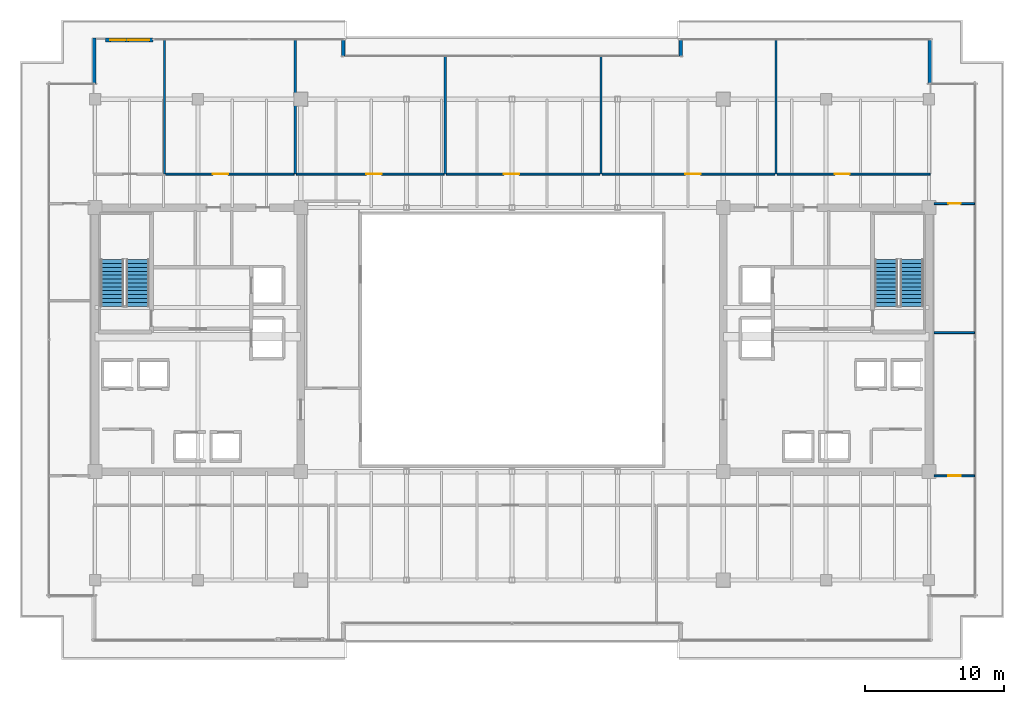
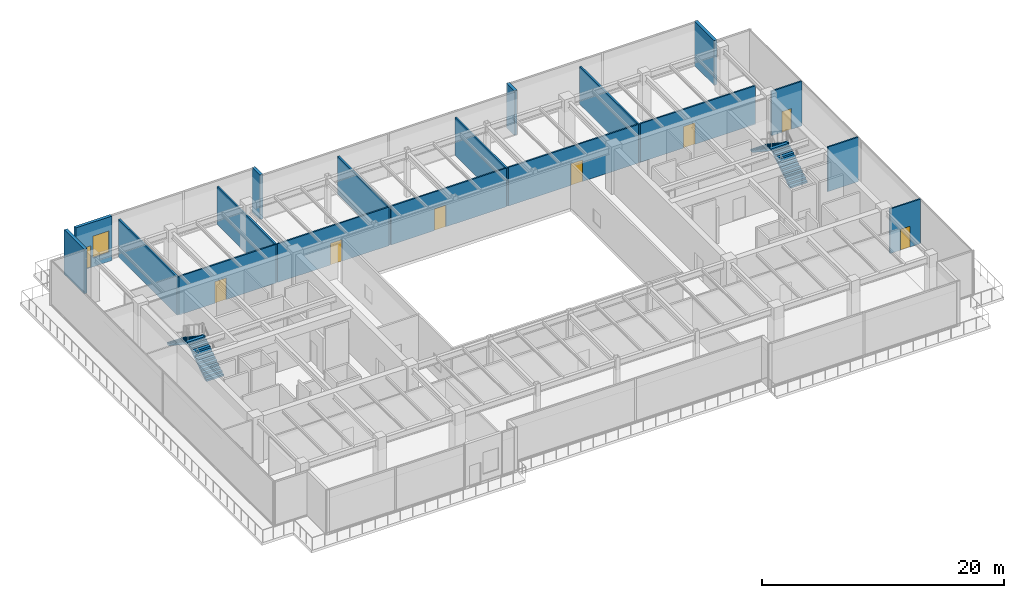
# One storey, part 31 of 37: 18 walls, 8 doors, 4 stair flights, 1 window, 9 openings, 2 elements without a shape of their own.
"""IFC4 building model written with IfcOpenShell, lengths in metres."""

from ifc_helpers import new_model, si_unit, direction, frame, frame_2d, origin, place, context, subcontext, project, spatial, polyline, rectangle, outline, extrude, source, transform, mapped, material, layer, layer_set, type_object, type_shapes, element, fill, aggregate, save


model = new_model("IFC4")

# Units and contexts
model_context = context("Model", 3, precision=1e-05, world=origin(), true_north=direction((0.0, 1.0)))
body_context = subcontext(model_context, "Body", "Model", "MODEL_VIEW")
ifc_project = project(units=[si_unit("LENGTHUNIT", "METRE"), si_unit("AREAUNIT", "SQUARE_METRE"), si_unit("VOLUMEUNIT", "CUBIC_METRE"), si_unit("PLANEANGLEUNIT", "RADIAN"), si_unit("MASSUNIT", "GRAM", prefix="KILO")], contexts=[model_context])

# Site, building, storey
site_placement = place(None, origin())
site = spatial("IfcSite", under=ifc_project, at=site_placement, CompositionType="ELEMENT")
building_placement = place(site_placement, origin())
building = spatial("IfcBuilding", under=site, at=building_placement, Name="Haelvirn Gate Laboratories", CompositionType="ELEMENT")
storey_placement = place(building_placement, frame((0.0, 0.0, 196.60009765625)))
storey = spatial("IfcBuildingStorey", under=building, at=storey_placement, Name="L47", CompositionType="ELEMENT", Elevation=196.60009765625)

# Wall, openings, door, window
ifc_material_1 = material(Name="Thermally-broken bronze aluminium rainscreen & mineral wool", Category="aluminium")
ifc_layer_1 = layer(ifc_material_1, 0.280029296875, Name="EW-TERR-280")
ifc_layer_set_1 = layer_set([ifc_layer_1], Name="Thermally-broken bronze aluminium rainscreen & mineral wool")
wall_type_1 = type_object("IfcWallType", Name="EW-TERR-280", PredefinedType="STANDARD", material=ifc_layer_set_1)
wall_1_placement = place(storey_placement, frame((8.155029296875, 45.860107421875, 0.0), z_axis=(0.0, 0.0, 1.0), x_axis=(1.0, 0.0, 0.0)))
wall_1 = element("IfcWall", 1, at=wall_1_placement, inside=storey, type_object=wall_type_1, Name="L47 Terrace Access Wall SETB-N", PredefinedType="STANDARD", context=body_context, shape_type="SweptSolid", body=[
    extrude(rectangle(XDim=3.427978515625, YDim=0.280029296875, at=frame_2d((1.7138671875, 0.0))), origin(), (0.0, 0.0, 1.0), 4.5),
])
opening_1_placement = place(wall_1_placement, frame((0.35009765625, 0.0, 0.0)))
opening_1 = element("IfcOpeningElement", 2, at=opening_1_placement, cuts=wall_1, Name="Opening TD1", PredefinedType="OPENING", context=body_context, shape_type="SweptSolid", body=[
    extrude(rectangle(XDim=1.10009765625, YDim=2.199951171875, at=frame_2d((0.550048828125, 1.10009765625))), frame((0.0, 0.14990234375, 0.0), z_axis=(0.0, -1.0, 0.0), x_axis=(1.0, 0.0, 0.0)), (0.0, 0.0, 1.0), 0.300048828125),
])
opening_2_placement = place(wall_1_placement, frame((1.64990234375, 0.0, 0.89990234375)))
opening_2 = element("IfcOpeningElement", 3, at=opening_2_placement, cuts=wall_1, Name="Opening W3", PredefinedType="OPENING", context=body_context, shape_type="SweptSolid", body=[
    extrude(rectangle(XDim=1.5, YDim=2.199951171875, at=frame_2d((0.75, 1.10009765625))), frame((0.0, 0.14990234375, 0.0), z_axis=(0.0, -1.0, 0.0), x_axis=(1.0, 0.0, 0.0)), (0.0, 0.0, 1.0), 0.300048828125),
])
ifc_material_2 = material(Name="Thermally-broken bronze aluminium glazed terrace door", Category="aluminium")
door_type_1 = type_object("IfcDoorType", Name="DR-TERR-1100", OperationType="NOTDEFINED", PredefinedType="DOOR", material=ifc_material_2)
shared_shape_1 = source(origin(), body_context, "Body", "SweptSolid", [
    extrude(rectangle(XDim=1.10009765625, YDim=2.199951171875, at=frame_2d((0.550048828125, 1.10009765625))), frame((0.0, 0.02490234375, 0.0), z_axis=(0.0, -1.0, 0.0), x_axis=(1.0, 0.0, 0.0)), (0.0, 0.0, 1.0), 0.050048828125),
])
type_shapes(door_type_1, [shared_shape_1])
door_1_placement = place(opening_1_placement, origin())
door_1 = element("IfcDoor", 4, at=door_1_placement, inside=storey, type_object=door_type_1, Name="L47 Terrace Access Door SETB-N", OperationType="SINGLE_SWING_RIGHT", OverallHeight=2.199951171875, OverallWidth=1.10009765625, PredefinedType="DOOR", context=body_context, shape_type="MappedRepresentation", body=[
    mapped(shared_shape_1, transform((0.0, 0.0, 0.0), scale=1.0)),
])
fill(opening_1, door_1)
ifc_material_3 = material(Name="Bronze anodised aluminium & triple low-E glass", Category="aluminium")
window_type = type_object("IfcWindowType", Name="WIN-TERR-1600", PartitioningType="SINGLE_PANEL", PredefinedType="WINDOW", material=ifc_material_3)
shared_shape_2 = source(origin(), body_context, "Body", "SweptSolid", [
    extrude(rectangle(XDim=1.5, YDim=2.199951171875, at=frame_2d((0.75, 1.10009765625))), frame((0.0, 0.030029296875, 0.0), z_axis=(0.0, -1.0, 0.0), x_axis=(1.0, 0.0, 0.0)), (0.0, 0.0, 1.0), 0.06005859375),
])
type_shapes(window_type, [shared_shape_2])
window_placement = place(opening_2_placement, origin())
window = element("IfcWindow", 5, at=window_placement, inside=storey, type_object=window_type, Name="L47 Terrace Vision Window SETB-N", OverallHeight=2.199951171875, OverallWidth=1.5, PartitioningType="SINGLE_PANEL", PredefinedType="WINDOW", context=body_context, shape_type="MappedRepresentation", body=[
    mapped(shared_shape_2, transform((0.0, 0.0, 0.0), scale=1.0)),
])
fill(opening_2, window)

# Walls
wall_2_placement = place(storey_placement, frame((67.4599609375, 42.7119140625, 0.0), z_axis=(0.0, 0.0, 1.0), x_axis=(0.0, 1.0, 0.0)))
element("IfcWall", 6, at=wall_2_placement, inside=storey, type_object=wall_type_1, Name="L47 Atrium Recess Bronze Return Wall 09", PredefinedType="STANDARD", context=body_context, shape_type="SweptSolid", body=[
    extrude(rectangle(XDim=3.2880859375, YDim=0.280029296875, at=frame_2d((1.64404296875, 0.0))), origin(), (0.0, 0.0, 1.0), 4.5),
])
for number, where, z_axis, x_axis, name in (
    (7, (49.5400390625, 46.0, 0.0), (0.0, 0.0, 1.0), (0.0, -1.0, 0.0), "L47 Atrium Recess Bronze Return Wall 11"),
    (8, (25.260009765625, 44.70703125, 0.0), (0.0, 0.0, 1.0), (0.0, 1.0, 0.0), "L47 Atrium Recess Bronze Return Wall 13"),
):
    element("IfcWall", number, at=place(storey_placement, frame(where, z_axis=z_axis, x_axis=x_axis)), inside=storey, type_object=wall_type_1, Name=name, PredefinedType="STANDARD", context=body_context, shape_type="SweptSolid", body=[
        extrude(rectangle(XDim=1.29296875, YDim=0.280029296875, at=frame_2d((0.646484375, 0.0))), origin(), (0.0, 0.0, 1.0), 4.5),
    ])
wall_3_placement = place(storey_placement, frame((7.340087890625, 46.0, 0.0), z_axis=(0.0, 0.0, 1.0), x_axis=(0.0, -1.0, 0.0)))
element("IfcWall", 9, at=wall_3_placement, inside=storey, type_object=wall_type_1, Name="L47 Atrium Recess Bronze Return Wall 15", PredefinedType="STANDARD", context=body_context, shape_type="SweptSolid", body=[
    extrude(rectangle(XDim=3.2880859375, YDim=0.280029296875, at=frame_2d((1.64404296875, 0.0))), origin(), (0.0, 0.0, 1.0), 4.5),
])
ifc_material_4 = material(Name="Double-layer acoustic gypsum laboratory partition", Category="gypsum")
ifc_layer_2 = layer(ifc_material_4, 0.159912109375, Name="IW-ACOUST-160")
ifc_layer_set_2 = layer_set([ifc_layer_2], Name="Double-layer acoustic gypsum laboratory partition")
wall_type_2 = type_object("IfcWallType", Name="IW-ACOUST-160", PredefinedType="PARTITIONING", material=ifc_layer_set_2)
for number, where, z_axis, x_axis, name in (
    (10, (12.39990234375, 36.2099609375, 0.0), (0.0, 0.0, 1.0), (0.0, 1.0, 0.0), "L47 Interior Wall IW-L47-NDIV-01"),
    (11, (21.800048828125, 36.2099609375, 0.0), (0.0, 0.0, 1.0), (0.0, 1.0, 0.0), "L47 Interior Wall IW-L47-NDIV-02"),
):
    element("IfcWall", number, at=place(storey_placement, frame(where, z_axis=z_axis, x_axis=x_axis)), inside=storey, type_object=wall_type_2, Name=name, PredefinedType="PARTITIONING", context=body_context, shape_type="SweptSolid", body=[
        extrude(rectangle(XDim=9.679931640625, YDim=0.159912109375, at=frame_2d((4.83984375, 0.0))), origin(), (0.0, 0.0, 1.0), 3.8349609375),
    ])
for number, where, z_axis, x_axis, name in (
    (12, (32.60009765625, 36.2099609375, 0.0), (0.0, 0.0, 1.0), (0.0, 1.0, 0.0), "L47 Interior Wall IW-L47-NDIV-03"),
    (13, (43.800048828125, 36.2099609375, 0.0), (0.0, 0.0, 1.0), (0.0, 1.0, 0.0), "L47 Interior Wall IW-L47-NDIV-04"),
):
    element("IfcWall", number, at=place(storey_placement, frame(where, z_axis=z_axis, x_axis=x_axis)), inside=storey, type_object=wall_type_2, Name=name, PredefinedType="PARTITIONING", context=body_context, shape_type="SweptSolid", body=[
        extrude(rectangle(XDim=8.47998046875, YDim=0.159912109375, at=frame_2d((4.239990234375, 0.0))), origin(), (0.0, 0.0, 1.0), 3.8349609375),
    ])
wall_4_placement = place(storey_placement, frame((56.39990234375, 36.2099609375, 0.0), z_axis=(0.0, 0.0, 1.0), x_axis=(0.0, 1.0, 0.0)))
element("IfcWall", 14, at=wall_4_placement, inside=storey, type_object=wall_type_2, Name="L47 Interior Wall IW-L47-NDIV-05", PredefinedType="PARTITIONING", context=body_context, shape_type="SweptSolid", body=[
    extrude(rectangle(XDim=9.679931640625, YDim=0.159912109375, at=frame_2d((4.83984375, 0.0))), origin(), (0.0, 0.0, 1.0), 3.8349609375),
])

# Wall, opening, door
ifc_material_5 = material(Name="Acoustic mineral-wool gypsum board partition", Category="gypsum")
ifc_layer_3 = layer(ifc_material_5, 0.139892578125, Name="IW-PART-140")
ifc_layer_set_3 = layer_set([ifc_layer_3], Name="Acoustic mineral-wool gypsum board partition")
wall_type_3 = type_object("IfcWallType", Name="IW-PART-140", PredefinedType="PARTITIONING", material=ifc_layer_set_3)
wall_5_placement = place(storey_placement, frame((12.47998046875, 36.2099609375, 0.0), z_axis=(0.0, 0.0, 1.0), x_axis=(1.0, 0.0, 0.0)))
wall_5 = element("IfcWall", 15, at=wall_5_placement, inside=storey, type_object=wall_type_3, Name="L47 Interior Wall IW-L47-NCORR-02", PredefinedType="PARTITIONING", context=body_context, shape_type="SweptSolid", body=[
    extrude(rectangle(XDim=9.239990234375, YDim=0.139892578125, at=frame_2d((4.6201171875, 0.0))), origin(), (0.0, 0.0, 1.0), 3.89697265625),
])
opening_3_placement = place(wall_5_placement, frame((3.400390625, 0.0, 0.0)))
opening_3 = element("IfcOpeningElement", 16, at=opening_3_placement, cuts=wall_5, Name="Opening D1", PredefinedType="OPENING", context=body_context, shape_type="SweptSolid", body=[
    extrude(rectangle(XDim=1.10009765625, YDim=2.179931640625, at=frame_2d((0.550048828125, 1.08984375))), frame((0.0, 0.080078125, 0.0), z_axis=(0.0, -1.0, 0.0), x_axis=(1.0, 0.0, 0.0)), (0.0, 0.0, 1.0), 0.159912109375),
])
ifc_material_6 = material(Name="Vision-panel acoustic solid-core timber lab door", Category="wood")
door_type_2 = type_object("IfcDoorType", Name="DR-LAB-1100", OperationType="NOTDEFINED", PredefinedType="DOOR", material=ifc_material_6)
shared_shape_3 = source(origin(), body_context, "Body", "SweptSolid", [
    extrude(rectangle(XDim=1.10009765625, YDim=2.179931640625, at=frame_2d((0.550048828125, 1.08984375))), frame((0.0, 0.02490234375, 0.0), z_axis=(0.0, -1.0, 0.0), x_axis=(1.0, 0.0, 0.0)), (0.0, 0.0, 1.0), 0.050048828125),
])
type_shapes(door_type_2, [shared_shape_3])
door_2_placement = place(opening_3_placement, origin())
door_2 = element("IfcDoor", 17, at=door_2_placement, inside=storey, type_object=door_type_2, Name="L47 Colloquium Seminar Room Door N2", OperationType="SINGLE_SWING_RIGHT", OverallHeight=2.179931640625, OverallWidth=1.10009765625, PredefinedType="DOOR", context=body_context, shape_type="MappedRepresentation", body=[
    mapped(shared_shape_3, transform((0.0, 0.0, 0.0), scale=1.0)),
])
fill(opening_3, door_2)

wall_6_placement = place(storey_placement, frame((21.8798828125, 36.2099609375, 0.0), z_axis=(0.0, 0.0, 1.0), x_axis=(1.0, 0.0, 0.0)))
wall_6 = element("IfcWall", 18, at=wall_6_placement, inside=storey, type_object=wall_type_3, Name="L47 Interior Wall IW-L47-NCORR-03", PredefinedType="PARTITIONING", context=body_context, shape_type="SweptSolid", body=[
    extrude(rectangle(XDim=10.64013671875, YDim=0.139892578125, at=frame_2d((5.320068359375, 0.0))), origin(), (0.0, 0.0, 1.0), 3.89697265625),
])
opening_4_placement = place(wall_6_placement, frame((5.03515625, 0.0, 0.0)))
opening_4 = element("IfcOpeningElement", 19, at=opening_4_placement, cuts=wall_6, Name="Opening D1", PredefinedType="OPENING", context=body_context, shape_type="SweptSolid", body=[
    extrude(rectangle(XDim=1.10009765625, YDim=2.179931640625, at=frame_2d((0.550048828125, 1.08984375))), frame((0.0, 0.080078125, 0.0), z_axis=(0.0, -1.0, 0.0), x_axis=(1.0, 0.0, 0.0)), (0.0, 0.0, 1.0), 0.159912109375),
])
door_3_placement = place(opening_4_placement, origin())
door_3 = element("IfcDoor", 20, at=door_3_placement, inside=storey, type_object=door_type_2, Name="L47 Colloquium Seminar Room Door N3", OperationType="SINGLE_SWING_LEFT", OverallHeight=2.179931640625, OverallWidth=1.10009765625, PredefinedType="DOOR", context=body_context, shape_type="MappedRepresentation", body=[
    mapped(shared_shape_3, transform((0.0, 0.0, 0.0), scale=1.0)),
])
fill(opening_4, door_3)

wall_7_placement = place(storey_placement, frame((32.679931640625, 36.2099609375, 0.0), z_axis=(0.0, 0.0, 1.0), x_axis=(1.0, 0.0, 0.0)))
wall_7 = element("IfcWall", 21, at=wall_7_placement, inside=storey, type_object=wall_type_3, Name="L47 Interior Wall IW-L47-NCORR-04", PredefinedType="PARTITIONING", context=body_context, shape_type="SweptSolid", body=[
    extrude(rectangle(XDim=11.0400390625, YDim=0.139892578125, at=frame_2d((5.52001953125, 0.0))), origin(), (0.0, 0.0, 1.0), 3.89697265625),
])
opening_5_placement = place(wall_7_placement, frame((4.138427734375, 0.0, 0.0)))
opening_5 = element("IfcOpeningElement", 22, at=opening_5_placement, cuts=wall_7, Name="Opening D1", PredefinedType="OPENING", context=body_context, shape_type="SweptSolid", body=[
    extrude(rectangle(XDim=1.10009765625, YDim=2.179931640625, at=frame_2d((0.550048828125, 1.08984375))), frame((0.0, 0.080078125, 0.0), z_axis=(0.0, -1.0, 0.0), x_axis=(1.0, 0.0, 0.0)), (0.0, 0.0, 1.0), 0.159912109375),
])
door_4_placement = place(opening_5_placement, origin())
door_4 = element("IfcDoor", 23, at=door_4_placement, inside=storey, type_object=door_type_2, Name="L47 Colloquium Seminar Room Door N4", OperationType="SINGLE_SWING_RIGHT", OverallHeight=2.179931640625, OverallWidth=1.10009765625, PredefinedType="DOOR", context=body_context, shape_type="MappedRepresentation", body=[
    mapped(shared_shape_3, transform((0.0, 0.0, 0.0), scale=1.0)),
])
fill(opening_5, door_4)

wall_8_placement = place(storey_placement, frame((43.8798828125, 36.2099609375, 0.0), z_axis=(0.0, 0.0, 1.0), x_axis=(1.0, 0.0, 0.0)))
wall_8 = element("IfcWall", 24, at=wall_8_placement, inside=storey, type_object=wall_type_3, Name="L47 Interior Wall IW-L47-NCORR-05", PredefinedType="PARTITIONING", context=body_context, shape_type="SweptSolid", body=[
    extrude(rectangle(XDim=12.440185546875, YDim=0.139892578125, at=frame_2d((6.22021484375, 0.0))), origin(), (0.0, 0.0, 1.0), 3.89697265625),
])
opening_6_placement = place(wall_8_placement, frame((5.9892578125, 0.0, 0.0)))
opening_6 = element("IfcOpeningElement", 25, at=opening_6_placement, cuts=wall_8, Name="Opening D1", PredefinedType="OPENING", context=body_context, shape_type="SweptSolid", body=[
    extrude(rectangle(XDim=1.10009765625, YDim=2.179931640625, at=frame_2d((0.550048828125, 1.08984375))), frame((0.0, 0.080078125, 0.0), z_axis=(0.0, -1.0, 0.0), x_axis=(1.0, 0.0, 0.0)), (0.0, 0.0, 1.0), 0.159912109375),
])
door_5_placement = place(opening_6_placement, origin())
door_5 = element("IfcDoor", 26, at=door_5_placement, inside=storey, type_object=door_type_2, Name="L47 Colloquium Seminar Room Door N5", OperationType="SINGLE_SWING_LEFT", OverallHeight=2.179931640625, OverallWidth=1.10009765625, PredefinedType="DOOR", context=body_context, shape_type="MappedRepresentation", body=[
    mapped(shared_shape_3, transform((0.0, 0.0, 0.0), scale=1.0)),
])
fill(opening_6, door_5)

wall_9_placement = place(storey_placement, frame((56.47998046875, 36.2099609375, 0.0), z_axis=(0.0, 0.0, 1.0), x_axis=(1.0, 0.0, 0.0)))
wall_9 = element("IfcWall", 27, at=wall_9_placement, inside=storey, type_object=wall_type_3, Name="L47 Interior Wall IW-L47-NCORR-06", PredefinedType="PARTITIONING", context=body_context, shape_type="SweptSolid", body=[
    extrude(rectangle(XDim=11.010009765625, YDim=0.139892578125, at=frame_2d((5.5048828125, 0.0))), origin(), (0.0, 0.0, 1.0), 3.89697265625),
])
opening_7_placement = place(wall_9_placement, frame((4.126220703125, 0.0, 0.0)))
opening_7 = element("IfcOpeningElement", 28, at=opening_7_placement, cuts=wall_9, Name="Opening D1", PredefinedType="OPENING", context=body_context, shape_type="SweptSolid", body=[
    extrude(rectangle(XDim=1.10009765625, YDim=2.179931640625, at=frame_2d((0.550048828125, 1.08984375))), frame((0.0, 0.080078125, 0.0), z_axis=(0.0, -1.0, 0.0), x_axis=(1.0, 0.0, 0.0)), (0.0, 0.0, 1.0), 0.159912109375),
])
door_6_placement = place(opening_7_placement, origin())
door_6 = element("IfcDoor", 29, at=door_6_placement, inside=storey, type_object=door_type_2, Name="L47 East Sky Fellows Commons Lounge Door N6", OperationType="SINGLE_SWING_RIGHT", OverallHeight=2.179931640625, OverallWidth=1.10009765625, PredefinedType="DOOR", context=body_context, shape_type="MappedRepresentation", body=[
    mapped(shared_shape_3, transform((0.0, 0.0, 0.0), scale=1.0)),
])
fill(opening_7, door_6)

# Wall
wall_10_placement = place(storey_placement, frame((67.780029296875, 24.800048828125, 0.0), z_axis=(0.0, 0.0, 1.0), x_axis=(1.0, 0.0, 0.0)))
element("IfcWall", 30, at=wall_10_placement, inside=storey, type_object=wall_type_3, Name="L47 Interior Wall IW-L47-EZ3-MID", PredefinedType="PARTITIONING", context=body_context, shape_type="SweptSolid", body=[
    extrude(rectangle(XDim=2.909912109375, YDim=0.139892578125, at=frame_2d((1.455078125, 0.0))), origin(), (0.0, 0.0, 1.0), 4.5),
])

# Wall, opening, door
wall_11_placement = place(storey_placement, frame((67.780029296875, 14.5048828125, 0.0), z_axis=(0.0, 0.0, 1.0), x_axis=(1.0, 0.0, 0.0)))
wall_11 = element("IfcWall", 31, at=wall_11_placement, inside=storey, type_object=wall_type_3, Name="L47 Interior Wall IW-L47-EZ3-ENT-S", PredefinedType="PARTITIONING", context=body_context, shape_type="SweptSolid", body=[
    extrude(rectangle(XDim=2.909912109375, YDim=0.139892578125, at=frame_2d((1.455078125, 0.0))), origin(), (0.0, 0.0, 1.0), 4.5),
])
opening_8_placement = place(wall_11_placement, frame((1.0048828125, 0.0, 0.0)))
opening_8 = element("IfcOpeningElement", 32, at=opening_8_placement, cuts=wall_11, Name="Opening D4", PredefinedType="OPENING", context=body_context, shape_type="SweptSolid", body=[
    extrude(rectangle(XDim=0.89990234375, YDim=2.10009765625, at=frame_2d((0.449951171875, 1.050048828125))), frame((0.0, 0.080078125, 0.0), z_axis=(0.0, -1.0, 0.0), x_axis=(1.0, 0.0, 0.0)), (0.0, 0.0, 1.0), 0.159912109375),
])
ifc_material_7 = material(Name="Glazed aluminium-framed write-up door", Category="aluminium")
door_type_3 = type_object("IfcDoorType", Name="DR-OFF-900", OperationType="NOTDEFINED", PredefinedType="DOOR", material=ifc_material_7)
shared_shape_4 = source(origin(), body_context, "Body", "SweptSolid", [
    extrude(rectangle(XDim=0.89990234375, YDim=2.10009765625, at=frame_2d((0.449951171875, 1.050048828125))), frame((0.0, 0.02490234375, 0.0), z_axis=(0.0, -1.0, 0.0), x_axis=(1.0, 0.0, 0.0)), (0.0, 0.0, 1.0), 0.050048828125),
])
type_shapes(door_type_3, [shared_shape_4])
door_7_placement = place(opening_8_placement, origin())
door_7 = element("IfcDoor", 33, at=door_7_placement, inside=storey, type_object=door_type_3, Name="L47 Bioinformatics Dry-Lab Workspace Door E-S", OperationType="SINGLE_SWING_LEFT", OverallHeight=2.10009765625, OverallWidth=0.89990234375, PredefinedType="DOOR", context=body_context, shape_type="MappedRepresentation", body=[
    mapped(shared_shape_4, transform((0.0, 0.0, 0.0), scale=1.0)),
])
fill(opening_8, door_7)

wall_12_placement = place(storey_placement, frame((67.780029296875, 34.094970703125, 0.0), z_axis=(0.0, 0.0, 1.0), x_axis=(1.0, 0.0, 0.0)))
wall_12 = element("IfcWall", 34, at=wall_12_placement, inside=storey, type_object=wall_type_3, Name="L47 Interior Wall IW-L47-EZ3-ENT-N", PredefinedType="PARTITIONING", context=body_context, shape_type="SweptSolid", body=[
    extrude(rectangle(XDim=2.909912109375, YDim=0.139892578125, at=frame_2d((1.455078125, 0.0))), origin(), (0.0, 0.0, 1.0), 4.5),
])
opening_9_placement = place(wall_12_placement, frame((1.0048828125, 0.0, 0.0)))
opening_9 = element("IfcOpeningElement", 35, at=opening_9_placement, cuts=wall_12, Name="Opening D4", PredefinedType="OPENING", context=body_context, shape_type="SweptSolid", body=[
    extrude(rectangle(XDim=0.89990234375, YDim=2.10009765625, at=frame_2d((0.449951171875, 1.050048828125))), frame((0.0, 0.080078125, 0.0), z_axis=(0.0, -1.0, 0.0), x_axis=(1.0, 0.0, 0.0)), (0.0, 0.0, 1.0), 0.159912109375),
])
door_8_placement = place(opening_9_placement, origin())
door_8 = element("IfcDoor", 36, at=door_8_placement, inside=storey, type_object=door_type_3, Name="L47 Computational Write-Up Office Door E-N", OperationType="SINGLE_SWING_RIGHT", OverallHeight=2.10009765625, OverallWidth=0.89990234375, PredefinedType="DOOR", context=body_context, shape_type="MappedRepresentation", body=[
    mapped(shared_shape_4, transform((0.0, 0.0, 0.0), scale=1.0)),
])
fill(opening_9, door_8)

# Stair, stair flights
ifc_material_8 = material(Name="Concrete C40/50", Category="concrete")
stair_type = type_object("IfcStairType", Name="ST-DOG-1650-R26", PredefinedType="HALF_TURN_STAIR", material=ifc_material_8)
stair_1_placement = place(storey_placement, origin())
stair_1 = element("IfcStair", 37, at=stair_1_placement, inside=storey, type_object=stair_type, Name="L47 Escape Stair ST1", PredefinedType="HALF_TURN_STAIR")
stair_flight_type = type_object("IfcStairFlightType", Name="STF-1650-R13", PredefinedType="STRAIGHT", material=ifc_material_8)
shared_shape_5 = source(origin(), body_context, "Body", "SweptSolid", [
    extrude(outline(polyline([(0.0, 0.0), (0.0, 0.1845703125), (0.280029296875, 0.1845703125), (0.280029296875, 0.369140625), (0.56005859375, 0.369140625), (0.56005859375, 0.553955078125), (0.840087890625, 0.553955078125), (0.840087890625, 0.738525390625), (1.1201171875, 0.738525390625), (1.1201171875, 0.923095703125), (1.39990234375, 0.923095703125), (1.39990234375, 1.107666015625), (1.679931640625, 1.107666015625), (1.679931640625, 1.292236328125), (1.9599609375, 1.292236328125), (1.9599609375, 1.476806640625), (2.239990234375, 1.476806640625), (2.239990234375, 1.66162109375), (2.52001953125, 1.66162109375), (2.52001953125, 1.84619140625), (2.800048828125, 1.84619140625), (2.800048828125, 2.03076171875), (3.080078125, 2.03076171875), (3.080078125, 2.21533203125), (3.360107421875, 2.21533203125), (3.360107421875, 2.39990234375), (3.360107421875, 2.02392578125), (0.29052734375, 0.0), (0.0, 0.0)])), frame((0.0, 0.824951171875, 0.0), z_axis=(0.0, -1.0, 0.0), x_axis=(1.0, 0.0, 0.0)), (0.0, 0.0, 1.0), 1.64990234375),
])
type_shapes(stair_flight_type, [shared_shape_5])
stair_flight_1_placement = place(storey_placement, frame((10.47509765625, 26.699951171875, 0.0), z_axis=(0.0, 0.0, 1.0), x_axis=(0.0, 1.0, 0.0)))
stair_flight_1 = element("IfcStairFlight", 38, at=stair_flight_1_placement, type_object=stair_flight_type, Name="ST1 flight 1", NumberOfRisers=13, NumberOfTreads=12, PredefinedType="STRAIGHT", RiserHeight=0.184615385, TreadLength=0.28, context=body_context, shape_type="MappedRepresentation", body=[
    mapped(shared_shape_5, transform((0.0, 0.0, 0.0), scale=1.0)),
])
stair_flight_2_placement = place(storey_placement, frame((8.625, 30.06005859375, 2.39990234375), z_axis=(0.0, 0.0, 1.0), x_axis=(0.0, -1.0, 0.0)))
stair_flight_2 = element("IfcStairFlight", 39, at=stair_flight_2_placement, type_object=stair_flight_type, Name="ST1 flight 2", NumberOfRisers=13, NumberOfTreads=12, PredefinedType="STRAIGHT", RiserHeight=0.184615385, TreadLength=0.28, context=body_context, shape_type="MappedRepresentation", body=[
    mapped(shared_shape_5, transform((0.0, 0.0, 0.0), scale=1.0)),
])
aggregate(stair_1, [stair_flight_1, stair_flight_2])

stair_2_placement = place(storey_placement, origin())
stair_2 = element("IfcStair", 40, at=stair_2_placement, inside=storey, type_object=stair_type, Name="L47 Escape Stair ST2", PredefinedType="HALF_TURN_STAIR")
stair_flight_3_placement = place(storey_placement, frame((66.175048828125, 26.699951171875, 0.0), z_axis=(0.0, 0.0, 1.0), x_axis=(0.0, 1.0, 0.0)))
stair_flight_3 = element("IfcStairFlight", 41, at=stair_flight_3_placement, type_object=stair_flight_type, Name="ST2 flight 1", NumberOfRisers=13, NumberOfTreads=12, PredefinedType="STRAIGHT", RiserHeight=0.184615385, TreadLength=0.28, context=body_context, shape_type="MappedRepresentation", body=[
    mapped(shared_shape_5, transform((0.0, 0.0, 0.0), scale=1.0)),
])
stair_flight_4_placement = place(storey_placement, frame((64.324951171875, 30.06005859375, 2.39990234375), z_axis=(0.0, 0.0, 1.0), x_axis=(0.0, -1.0, 0.0)))
stair_flight_4 = element("IfcStairFlight", 42, at=stair_flight_4_placement, type_object=stair_flight_type, Name="ST2 flight 2", NumberOfRisers=13, NumberOfTreads=12, PredefinedType="STRAIGHT", RiserHeight=0.184615385, TreadLength=0.28, context=body_context, shape_type="MappedRepresentation", body=[
    mapped(shared_shape_5, transform((0.0, 0.0, 0.0), scale=1.0)),
])
aggregate(stair_2, [stair_flight_3, stair_flight_4])

save(model, "model.ifc")
